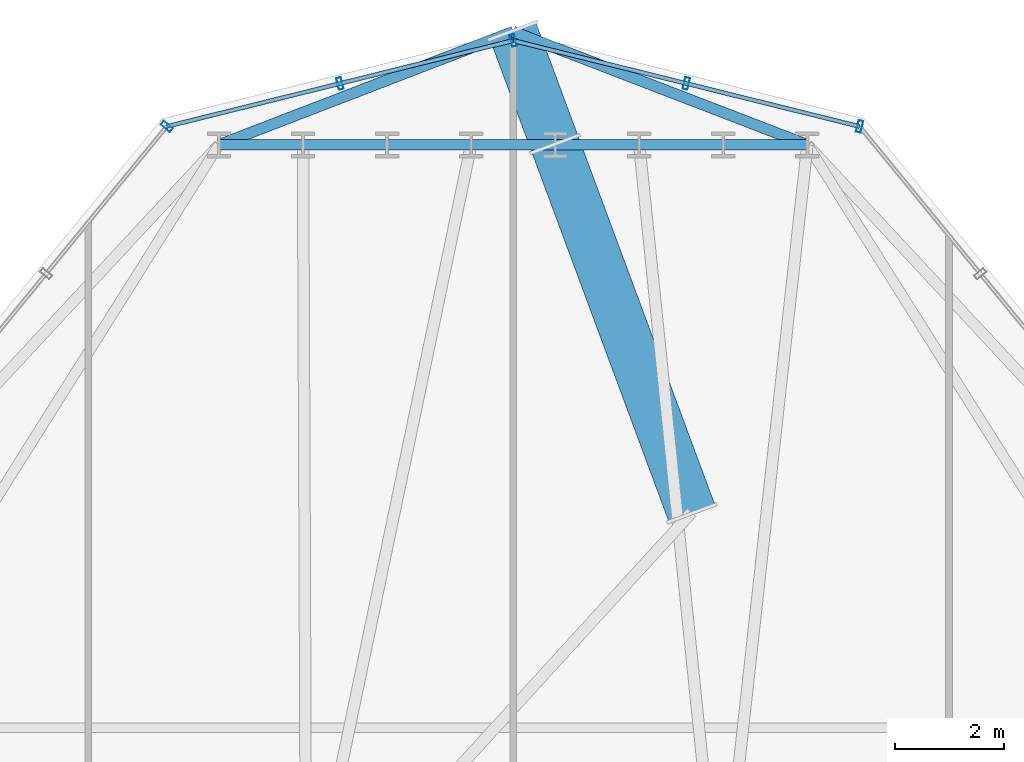
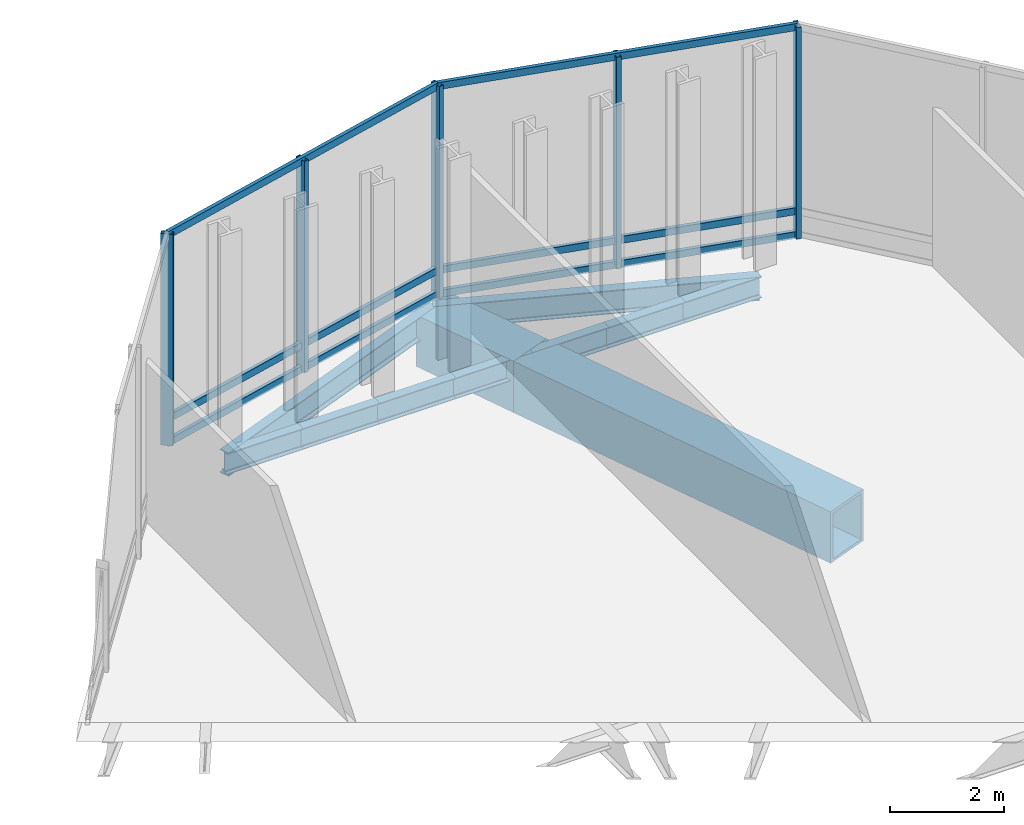
# One storey, part 17 of 26: 11 beams, 11 members, 3 elements without a shape of their own.
"""IFC4 building model written with IfcOpenShell, lengths in metres."""

from ifc_helpers import new_model, si_unit, direction, frame, origin, origin_2d, place, context, subcontext, project, spatial, hollow_rectangle, i_section, extrude, material, layer, layer_set, material_profile, profile_set, type_object, element, aggregate, save


model = new_model("IFC4")

# Units and contexts
model_context = context("Model", 3, precision=1e-05, world=origin(), true_north=direction((0.0, 1.0)))
body_context = subcontext(model_context, "Body", "Model", "MODEL_VIEW")
ifc_project = project(units=[si_unit("LENGTHUNIT", "METRE"), si_unit("AREAUNIT", "SQUARE_METRE"), si_unit("VOLUMEUNIT", "CUBIC_METRE"), si_unit("PLANEANGLEUNIT", "RADIAN"), si_unit("MASSUNIT", "GRAM", prefix="KILO")], contexts=[model_context])

# Site, building, storey
site_placement = place(None, origin())
site = spatial("IfcSite", under=ifc_project, at=site_placement, CompositionType="ELEMENT")
building_placement = place(site_placement, origin())
building = spatial("IfcBuilding", under=site, at=building_placement, Name="Ndaravel Arena Tower", CompositionType="ELEMENT")
storey_placement = place(building_placement, frame((0.0, 0.0, 117.39990234375)))
storey = spatial("IfcBuildingStorey", under=building, at=storey_placement, Name="L27", CompositionType="ELEMENT", Elevation=117.39990234375)

# Beams
ifc_material_1 = material(Name="Steel S355", Category="steel")
ifc_material_profile_1 = material_profile(ifc_material_1, i_section(OverallWidth=0.18994140625, OverallDepth=0.449951171875, WebThickness=0.009521484375, FlangeThickness=0.0146484375, FilletRadius=0.02099609375, at=origin_2d()), Name="IPE 450")
ifc_profile_set_1 = profile_set([ifc_material_profile_1], Name="Steel S355")
beam_type_1 = type_object("IfcBeamType", Name="BM-SPAN-IPE450", PredefinedType="SPANDREL", material=ifc_profile_set_1)
beam_1_placement = place(storey_placement, frame((47.401611328125, 45.7041015625, -0.5048828125), z_axis=(-1.0, 0.0, 0.0), x_axis=(0.0, -1.0, 0.0)))
element("IfcBeam", 1, at=beam_1_placement, inside=storey, type_object=beam_type_1, Name="L27 Perimeter Spandrel Beam SP-11", PredefinedType="SPANDREL", context=body_context, shape_type="SweptSolid", body=[
    extrude(i_section(OverallWidth=0.18994140625, OverallDepth=0.449951171875, WebThickness=0.009521484375, FlangeThickness=0.0146484375, FilletRadius=0.02099609375, at=origin_2d()), origin(), (0.0, 0.0, 1.0), 1.543212890625),
])
beam_2_placement = place(storey_placement, frame((45.8583984375, 45.7041015625, -0.5048828125), z_axis=(-1.0, 0.0, 0.0), x_axis=(0.0, -1.0, 0.0)))
element("IfcBeam", 2, at=beam_2_placement, inside=storey, type_object=beam_type_1, Name="L27 Perimeter Spandrel Beam SP-12", PredefinedType="SPANDREL", context=body_context, shape_type="SweptSolid", body=[
    extrude(i_section(OverallWidth=0.18994140625, OverallDepth=0.449951171875, WebThickness=0.009521484375, FlangeThickness=0.0146484375, FilletRadius=0.02099609375, at=origin_2d()), origin(), (0.0, 0.0, 1.0), 1.54345703125),
])
beam_3_placement = place(storey_placement, frame((44.31494140625, 45.7041015625, -0.5048828125), z_axis=(-1.0, 0.0, 0.0), x_axis=(0.0, -1.0, 0.0)))
element("IfcBeam", 3, at=beam_3_placement, inside=storey, type_object=beam_type_1, Name="L27 Perimeter Spandrel Beam SP-13", PredefinedType="SPANDREL", context=body_context, shape_type="SweptSolid", body=[
    extrude(i_section(OverallWidth=0.18994140625, OverallDepth=0.449951171875, WebThickness=0.009521484375, FlangeThickness=0.0146484375, FilletRadius=0.02099609375, at=origin_2d()), origin(), (0.0, 0.0, 1.0), 1.543212890625),
])
beam_4_placement = place(storey_placement, frame((42.771728515625, 45.7041015625, -0.5048828125), z_axis=(-1.0, 0.0, 0.0), x_axis=(0.0, -1.0, 0.0)))
element("IfcBeam", 4, at=beam_4_placement, inside=storey, type_object=beam_type_1, Name="L27 Perimeter Spandrel Beam SP-14", PredefinedType="SPANDREL", context=body_context, shape_type="SweptSolid", body=[
    extrude(i_section(OverallWidth=0.18994140625, OverallDepth=0.449951171875, WebThickness=0.009521484375, FlangeThickness=0.0146484375, FilletRadius=0.02099609375, at=origin_2d()), origin(), (0.0, 0.0, 1.0), 1.54345703125),
])
beam_5_placement = place(storey_placement, frame((41.228271484375, 45.7041015625, -0.5048828125), z_axis=(-1.0, 0.0, 0.0), x_axis=(0.0, -1.0, 0.0)))
element("IfcBeam", 5, at=beam_5_placement, inside=storey, type_object=beam_type_1, Name="L27 Perimeter Spandrel Beam SP-15", PredefinedType="SPANDREL", context=body_context, shape_type="SweptSolid", body=[
    extrude(i_section(OverallWidth=0.18994140625, OverallDepth=0.449951171875, WebThickness=0.009521484375, FlangeThickness=0.0146484375, FilletRadius=0.02099609375, at=origin_2d()), origin(), (0.0, 0.0, 1.0), 1.543212890625),
])
beam_6_placement = place(storey_placement, frame((39.68505859375, 45.7041015625, -0.5048828125), z_axis=(-1.0, 0.0, 0.0), x_axis=(0.0, -1.0, 0.0)))
element("IfcBeam", 6, at=beam_6_placement, inside=storey, type_object=beam_type_1, Name="L27 Perimeter Spandrel Beam SP-16", PredefinedType="SPANDREL", context=body_context, shape_type="SweptSolid", body=[
    extrude(i_section(OverallWidth=0.18994140625, OverallDepth=0.449951171875, WebThickness=0.009521484375, FlangeThickness=0.0146484375, FilletRadius=0.02099609375, at=origin_2d()), origin(), (0.0, 0.0, 1.0), 1.54345703125),
])
beam_7_placement = place(storey_placement, frame((38.1416015625, 45.7041015625, -0.5048828125), z_axis=(-1.0, 0.0, 0.0), x_axis=(0.0, -1.0, 0.0)))
element("IfcBeam", 7, at=beam_7_placement, inside=storey, type_object=beam_type_1, Name="L27 Perimeter Spandrel Beam SP-17", PredefinedType="SPANDREL", context=body_context, shape_type="SweptSolid", body=[
    extrude(i_section(OverallWidth=0.18994140625, OverallDepth=0.449951171875, WebThickness=0.009521484375, FlangeThickness=0.0146484375, FilletRadius=0.02099609375, at=origin_2d()), origin(), (0.0, 0.0, 1.0), 1.543212890625),
])
ifc_material_2 = material(Name="Steel S355", Category="steel")
ifc_material_profile_2 = material_profile(ifc_material_2, i_section(OverallWidth=0.199951171875, OverallDepth=0.5, WebThickness=0.01025390625, FlangeThickness=0.01611328125, FilletRadius=0.02099609375, at=origin_2d()), Name="IPE 500")
ifc_profile_set_2 = profile_set([ifc_material_profile_2], Name="Steel S355")
beam_type_2 = type_object("IfcBeamType", Name="BM-SPAN-IPE500", PredefinedType="SPANDREL", material=ifc_profile_set_2)
for number, where, z_axis, x_axis, name in (
    (8, (47.401611328125, 45.7041015625, -0.52978515625), (-0.933212917453, 0.359323879945, 0.0), (-0.359323879945, -0.933212917453, 0.0), "L27 Star Facet Edge Beam SEA-5"),
    (9, (42.0, 47.783935546875, -0.52978515625), (-0.933212917453, -0.359323879945, 0.0), (0.359323879945, -0.933212917453, 0.0), "L27 Star Facet Edge Beam SEB-5"),
):
    element("IfcBeam", number, at=place(storey_placement, frame(where, z_axis=z_axis, x_axis=x_axis)), inside=storey, type_object=beam_type_2, Name=name, PredefinedType="SPANDREL", context=body_context, shape_type="SweptSolid", body=[
        extrude(i_section(OverallWidth=0.199951171875, OverallDepth=0.5, WebThickness=0.01025390625, FlangeThickness=0.01611328125, FilletRadius=0.02099609375, at=origin_2d()), origin(), (0.0, 0.0, 1.0), 5.7880859375),
    ])
ifc_material_3 = material(Name="Steel S460", Category="steel")
ifc_material_profile_3 = material_profile(ifc_material_3, hollow_rectangle(XDim=0.89990234375, YDim=1.10009765625, WallThickness=0.06494140625, at=origin_2d()), Name="BOX 1100x900x65")
ifc_profile_set_3 = profile_set([ifc_material_profile_3], Name="Steel S460")
beam_type_3 = type_object("IfcBeamType", Name="BM-STAR-BOX1100", PredefinedType="BEAM", material=ifc_profile_set_3)
beam_8_placement = place(storey_placement, frame((45.276123046875, 38.95361328125, -0.829833984375), z_axis=(-0.347828937155, 0.93755801446, 0.0), x_axis=(-0.93755801446, -0.347828937155, 0.0)))
element("IfcBeam", 10, at=beam_8_placement, inside=storey, type_object=beam_type_3, Name="L27 Star Cantilever Backspan Girder SBG-5", PredefinedType="BEAM", context=body_context, shape_type="SweptSolid", body=[
    extrude(hollow_rectangle(XDim=0.89990234375, YDim=1.10009765625, WallThickness=0.06494140625, at=origin_2d()), origin(), (0.0, 0.0, 1.0), 7.2001953125),
])
beam_9_placement = place(storey_placement, frame((42.771728515625, 45.7041015625, -0.829833984375), z_axis=(-0.347877036351, 0.937540168515, 0.0), x_axis=(-0.937540168515, -0.347877036351, 0.0)))
element("IfcBeam", 11, at=beam_9_placement, inside=storey, type_object=beam_type_3, Name="L27 Star Cantilever Tip Girder SCG-5", PredefinedType="BEAM", context=body_context, shape_type="SweptSolid", body=[
    extrude(hollow_rectangle(XDim=0.89990234375, YDim=1.10009765625, WallThickness=0.06494140625, at=origin_2d()), origin(), (0.0, 0.0, 1.0), 2.218505859375),
])

# Curtain wall, members
ifc_material_4 = material(Name="Aluminium", Category="aluminium")
ifc_layer = layer(ifc_material_4, 0.179931640625)
ifc_layer_set = layer_set([ifc_layer], Name="Aluminium")
curtain_wall_type = type_object("IfcCurtainWallType", Name="CW-SYS-04", PredefinedType="NOTDEFINED", material=ifc_layer_set)
curtain_wall_1_placement = place(storey_placement, origin())
curtain_wall_1 = element("IfcCurtainWall", 12, at=curtain_wall_1_placement, inside=storey, type_object=curtain_wall_type, Name="L27 Faceted Crystal Curtain Wall CW-L27-E08", PredefinedType="NOTDEFINED")
ifc_material_5 = material(Name="Aluminium", Category="aluminium")
ifc_material_profile_4 = material_profile(ifc_material_5, hollow_rectangle(XDim=0.090087890625, YDim=0.219970703125, WallThickness=0.0048828125, at=origin_2d()), Name="CW MULLION 90x220x5")
ifc_profile_set_4 = profile_set([ifc_material_profile_4], Name="Aluminium")
member_type_1 = type_object("IfcMemberType", Name="MEM-CW-MUL220", PredefinedType="MULLION", material=ifc_profile_set_4)
member_1_placement = place(storey_placement, frame((48.3603515625, 46.04150390625, 0.0), z_axis=(0.0, 0.0, 1.0), x_axis=(-0.970586363623, 0.24075321545, 0.0)))
member_1 = element("IfcMember", 13, at=member_1_placement, type_object=member_type_1, Name="CW-L27-E08 Mullion 00", PredefinedType="MULLION", context=body_context, shape_type="SweptSolid", body=[
    extrude(hollow_rectangle(XDim=0.090087890625, YDim=0.219970703125, WallThickness=0.0048828125, at=origin_2d()), origin(), (0.0, 0.0, 1.0), 4.52001953125),
])
member_2_placement = place(storey_placement, frame((45.18017578125, 46.830322265625, 0.0), z_axis=(0.0, 0.0, 1.0), x_axis=(-0.970586363623, 0.24075321545, 0.0)))
member_2 = element("IfcMember", 14, at=member_2_placement, type_object=member_type_1, Name="CW-L27-E08 Mullion 01", PredefinedType="MULLION", context=body_context, shape_type="SweptSolid", body=[
    extrude(hollow_rectangle(XDim=0.090087890625, YDim=0.219970703125, WallThickness=0.0048828125, at=origin_2d()), origin(), (0.0, 0.0, 1.0), 4.52001953125),
])

curtain_wall_2_placement = place(storey_placement, origin())
curtain_wall_2 = element("IfcCurtainWall", 15, at=curtain_wall_2_placement, inside=storey, type_object=curtain_wall_type, Name="L27 Faceted Crystal Curtain Wall CW-L27-E09", PredefinedType="NOTDEFINED")
member_3_placement = place(storey_placement, frame((42.0, 47.619140625, 0.0), z_axis=(0.0, 0.0, 1.0), x_axis=(-0.970586363623, -0.24075321545, 0.0)))
member_3 = element("IfcMember", 16, at=member_3_placement, type_object=member_type_1, Name="CW-L27-E09 Mullion 00", PredefinedType="MULLION", context=body_context, shape_type="SweptSolid", body=[
    extrude(hollow_rectangle(XDim=0.090087890625, YDim=0.219970703125, WallThickness=0.0048828125, at=origin_2d()), origin(), (0.0, 0.0, 1.0), 4.52001953125),
])
member_4_placement = place(storey_placement, frame((38.81982421875, 46.830322265625, 0.0), z_axis=(0.0, 0.0, 1.0), x_axis=(-0.970586363623, -0.24075321545, 0.0)))
member_4 = element("IfcMember", 17, at=member_4_placement, type_object=member_type_1, Name="CW-L27-E09 Mullion 01", PredefinedType="MULLION", context=body_context, shape_type="SweptSolid", body=[
    extrude(hollow_rectangle(XDim=0.090087890625, YDim=0.219970703125, WallThickness=0.0048828125, at=origin_2d()), origin(), (0.0, 0.0, 1.0), 4.52001953125),
])

# Curtain wall, member
curtain_wall_3_placement = place(storey_placement, origin())
curtain_wall_3 = element("IfcCurtainWall", 18, at=curtain_wall_3_placement, inside=storey, type_object=curtain_wall_type, Name="L27 Faceted Crystal Curtain Wall CW-L27-E10", PredefinedType="NOTDEFINED")
member_5_placement = place(storey_placement, frame((35.6396484375, 46.04150390625, 0.0), z_axis=(0.0, 0.0, 1.0), x_axis=(-0.633934458857, -0.773386773791, 0.0)))
member_5 = element("IfcMember", 19, at=member_5_placement, type_object=member_type_1, Name="CW-L27-E10 Mullion 00", PredefinedType="MULLION", context=body_context, shape_type="SweptSolid", body=[
    extrude(hollow_rectangle(XDim=0.090087890625, YDim=0.219970703125, WallThickness=0.0048828125, at=origin_2d()), origin(), (0.0, 0.0, 1.0), 4.52001953125),
])
aggregate(curtain_wall_3, [member_5])

# Member
ifc_material_6 = material(Name="Aluminium", Category="aluminium")
ifc_material_profile_5 = material_profile(ifc_material_6, hollow_rectangle(XDim=0.074951171875, YDim=0.14990234375, WallThickness=0.00390625, at=origin_2d()), Name="CW TRANSOM 75x150x4")
ifc_profile_set_5 = profile_set([ifc_material_profile_5], Name="Aluminium")
member_type_2 = type_object("IfcMemberType", Name="MEM-CW-TRN150", PredefinedType="USERDEFINED", material=ifc_profile_set_5)
member_6_placement = place(storey_placement, frame((48.3603515625, 46.04150390625, 0.0400390625), z_axis=(-0.970587921481, 0.240746934923, 0.0), x_axis=(-0.240746934923, -0.970587921481, 0.0)))
member_6 = element("IfcMember", 20, at=member_6_placement, type_object=member_type_2, Name="CW-L27-E08 Transom 01", ObjectType="TRANSOM", PredefinedType="USERDEFINED", context=body_context, shape_type="SweptSolid", body=[
    extrude(hollow_rectangle(XDim=0.074951171875, YDim=0.14990234375, WallThickness=0.00390625, at=origin_2d()), origin(), (0.0, 0.0, 1.0), 6.552978515625),
])

member_7_placement = place(storey_placement, frame((48.3603515625, 46.04150390625, 0.550048828125), z_axis=(-0.970587921481, 0.240746934923, 0.0), x_axis=(-0.240746934923, -0.970587921481, 0.0)))
member_7 = element("IfcMember", 21, at=member_7_placement, type_object=member_type_2, Name="CW-L27-E08 Transom 02", ObjectType="TRANSOM", PredefinedType="USERDEFINED", context=body_context, shape_type="SweptSolid", body=[
    extrude(hollow_rectangle(XDim=0.074951171875, YDim=0.14990234375, WallThickness=0.00390625, at=origin_2d()), origin(), (0.0, 0.0, 1.0), 6.552978515625),
])

member_8_placement = place(storey_placement, frame((48.3603515625, 46.04150390625, 4.47998046875), z_axis=(-0.970587921481, 0.240746934923, 0.0), x_axis=(-0.240746934923, -0.970587921481, 0.0)))
member_8 = element("IfcMember", 22, at=member_8_placement, type_object=member_type_2, Name="CW-L27-E08 Transom 03", ObjectType="TRANSOM", PredefinedType="USERDEFINED", context=body_context, shape_type="SweptSolid", body=[
    extrude(hollow_rectangle(XDim=0.074951171875, YDim=0.14990234375, WallThickness=0.00390625, at=origin_2d()), origin(), (0.0, 0.0, 1.0), 6.552978515625),
])

aggregate(curtain_wall_1, [member_1, member_2, member_6, member_7, member_8])

member_9_placement = place(storey_placement, frame((42.0, 47.619140625, 0.0400390625), z_axis=(-0.970587921481, -0.240746934923, 0.0), x_axis=(0.240746934923, -0.970587921481, 0.0)))
member_9 = element("IfcMember", 23, at=member_9_placement, type_object=member_type_2, Name="CW-L27-E09 Transom 01", ObjectType="TRANSOM", PredefinedType="USERDEFINED", context=body_context, shape_type="SweptSolid", body=[
    extrude(hollow_rectangle(XDim=0.074951171875, YDim=0.14990234375, WallThickness=0.00390625, at=origin_2d()), origin(), (0.0, 0.0, 1.0), 6.552978515625),
])

member_10_placement = place(storey_placement, frame((42.0, 47.619140625, 0.550048828125), z_axis=(-0.970587921481, -0.240746934923, 0.0), x_axis=(0.240746934923, -0.970587921481, 0.0)))
member_10 = element("IfcMember", 24, at=member_10_placement, type_object=member_type_2, Name="CW-L27-E09 Transom 02", ObjectType="TRANSOM", PredefinedType="USERDEFINED", context=body_context, shape_type="SweptSolid", body=[
    extrude(hollow_rectangle(XDim=0.074951171875, YDim=0.14990234375, WallThickness=0.00390625, at=origin_2d()), origin(), (0.0, 0.0, 1.0), 6.552978515625),
])

member_11_placement = place(storey_placement, frame((42.0, 47.619140625, 4.47998046875), z_axis=(-0.970587921481, -0.240746934923, 0.0), x_axis=(0.240746934923, -0.970587921481, 0.0)))
member_11 = element("IfcMember", 25, at=member_11_placement, type_object=member_type_2, Name="CW-L27-E09 Transom 03", ObjectType="TRANSOM", PredefinedType="USERDEFINED", context=body_context, shape_type="SweptSolid", body=[
    extrude(hollow_rectangle(XDim=0.074951171875, YDim=0.14990234375, WallThickness=0.00390625, at=origin_2d()), origin(), (0.0, 0.0, 1.0), 6.552978515625),
])

aggregate(curtain_wall_2, [member_3, member_4, member_9, member_10, member_11])

save(model, "model.ifc")
